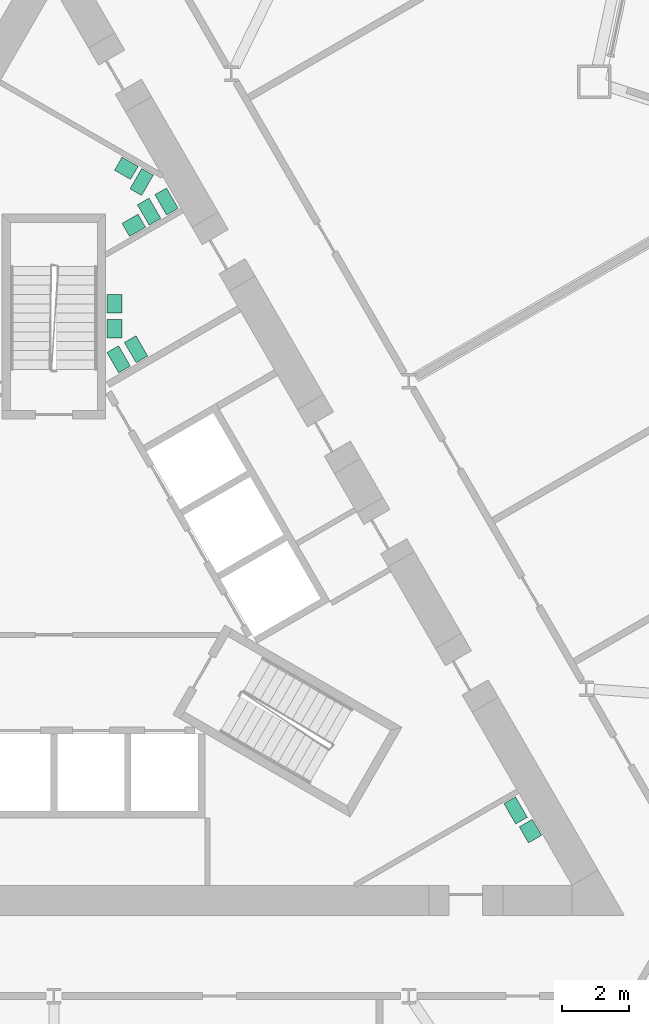
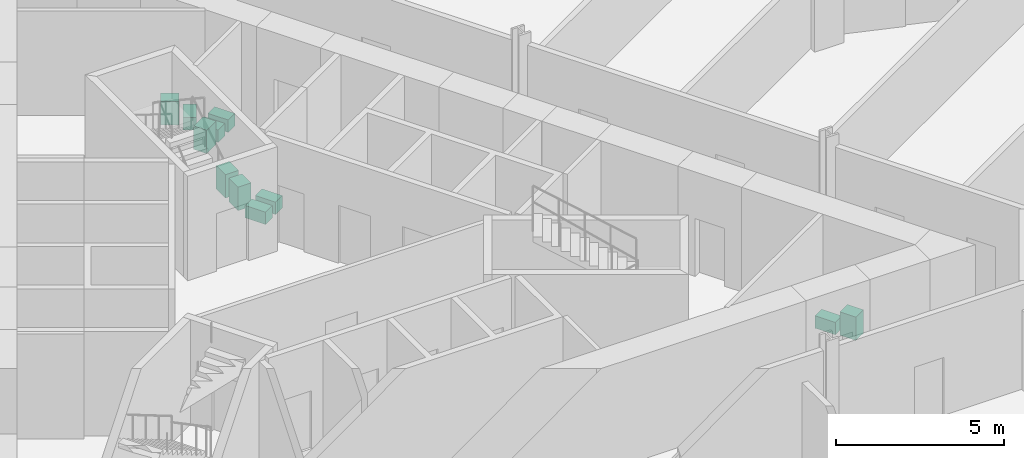
# One storey, part 20 of 21: 11 sanitary terminals.
"""IFC4 building model written with IfcOpenShell, lengths in metres."""

from ifc_helpers import new_model, si_unit, direction, frame, origin, origin_2d, place, context, subcontext, project, spatial, rectangle, extrude, material, type_object, element, save


model = new_model("IFC4")

# Units and contexts
model_context = context("Model", 3, precision=1e-05, world=origin(), true_north=direction((0.0, 1.0)))
body_context = subcontext(model_context, "Body", "Model", "MODEL_VIEW")
ifc_project = project(units=[si_unit("LENGTHUNIT", "METRE"), si_unit("AREAUNIT", "SQUARE_METRE"), si_unit("VOLUMEUNIT", "CUBIC_METRE"), si_unit("PLANEANGLEUNIT", "RADIAN"), si_unit("MASSUNIT", "GRAM", prefix="KILO")], contexts=[model_context])

# Site, building, storey
site_placement = place(None, origin())
site = spatial("IfcSite", under=ifc_project, at=site_placement, CompositionType="ELEMENT")
building_placement = place(site_placement, origin())
building = spatial("IfcBuilding", under=site, at=building_placement, Name="Cormorant Prow Tower", CompositionType="ELEMENT")
storey_placement = place(building_placement, frame((0.0, 0.0, 51.0)))
storey = spatial("IfcBuildingStorey", under=building, at=storey_placement, Name="L10", CompositionType="ELEMENT", Elevation=51.0)

# Sanitary terminals
ifc_material_1 = material(Name="Vitreous china")
sanitary_terminal_type_1 = type_object("IfcSanitaryTerminalType", Name="Wash basin 550x450", PredefinedType="WASHHANDBASIN", material=ifc_material_1)
for number, where, z_axis, x_axis, name in (
    (1, (2.380859375, 10.75341796875, 0.0), (0.0, 0.0, 1.0), (0.866025403784, 0.5, 0.0), "Wash basin"),
    (2, (2.157958984375, 12.453125, 0.0), (0.0, 0.0, 1.0), (-0.866025403784, 0.5, 0.0), "Wash basin"),
    (3, (1.80908203125, 7.66796875, 0.0), (0.0, 0.0, 1.0), (0.0, -1.0, 0.0), "Wash basin"),
    (4, (1.80908203125, 8.41796875, 0.0), (0.0, 0.0, 1.0), (0.0, -1.0, 0.0), "Wash basin"),
    (5, (14.2021484375, -7.298828125, 0.0), (0.0, 0.0, 1.0), (-0.5, 0.866025403784, 0.0), "Wash basin"),
):
    element("IfcSanitaryTerminal", number, at=place(storey_placement, frame(where, z_axis=z_axis, x_axis=x_axis)), inside=storey, type_object=sanitary_terminal_type_1, Name=name, PredefinedType="WASHHANDBASIN", context=body_context, shape_type="SweptSolid", body=[
        extrude(rectangle(XDim=0.550048828125, YDim=0.449951171875, at=origin_2d()), origin(), (0.0, 0.0, 1.0), 0.85009765625),
    ])
ifc_material_2 = material(Name="Vitreous china")
sanitary_terminal_type_2 = type_object("IfcSanitaryTerminalType", Name="Water closet 400x700", PredefinedType="WCSEAT", material=ifc_material_2)
for number, where, z_axis, x_axis, name in (
    (6, (3.357666015625, 11.461669921875, 0.0), (0.0, 0.0, 1.0), (0.866025403784, 0.5, 0.0), "Water closet"),
    (7, (2.837890625, 11.16162109375, 0.0), (0.0, 0.0, 1.0), (0.866025403784, 0.5, 0.0), "Water closet"),
    (8, (2.614990234375, 12.044921875, 0.0), (0.0, 0.0, 1.0), (-0.866025403784, 0.5, 0.0), "Water closet"),
    (9, (1.9287109375, 6.760009765625, 0.0), (0.0, 0.0, 1.0), (0.866025403784, 0.5, 0.0), "Water closet"),
    (10, (2.4482421875, 7.06005859375, 0.0), (0.0, 0.0, 1.0), (0.866025403784, 0.5, 0.0), "Water closet"),
    (11, (13.760498046875, -6.68408203125, 0.0), (0.0, 0.0, 1.0), (-0.866025403784, -0.5, 0.0), "Water closet"),
):
    element("IfcSanitaryTerminal", number, at=place(storey_placement, frame(where, z_axis=z_axis, x_axis=x_axis)), inside=storey, type_object=sanitary_terminal_type_2, Name=name, PredefinedType="WCSEAT", context=body_context, shape_type="SweptSolid", body=[
        extrude(rectangle(XDim=0.39990234375, YDim=0.699951171875, at=origin_2d()), origin(), (0.0, 0.0, 1.0), 0.449951171875),
    ])

save(model, "model.ifc")
